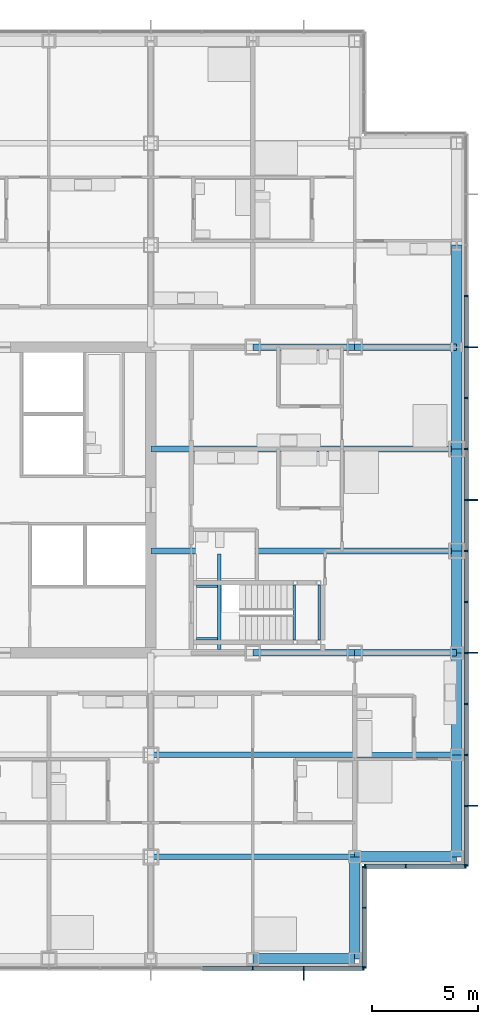
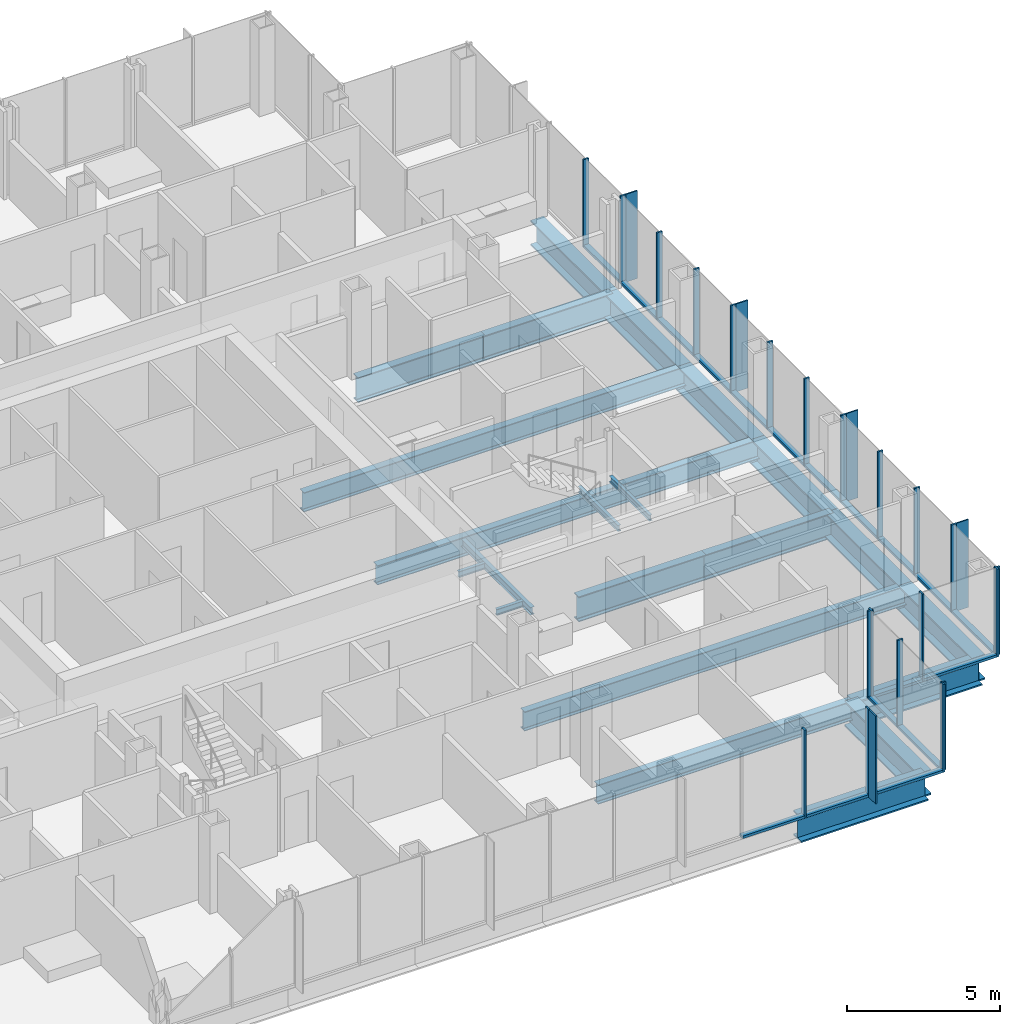
# One storey, part 9 of 21: 44 members, 22 beams, 4 elements without a shape of their own.
"""IFC4 building model written with IfcOpenShell, lengths in metres."""

from ifc_helpers import new_model, si_unit, direction, frame, origin, origin_2d, place, context, subcontext, project, spatial, rectangle, i_section, extrude, material, material_profile, profile_set, type_object, element, aggregate, save


model = new_model("IFC4")

# Units and contexts
model_context = context("Model", 3, precision=1e-05, world=origin(), true_north=direction((0.0, 1.0)))
body_context = subcontext(model_context, "Body", "Model", "MODEL_VIEW")
ifc_project = project(units=[si_unit("LENGTHUNIT", "METRE"), si_unit("AREAUNIT", "SQUARE_METRE"), si_unit("VOLUMEUNIT", "CUBIC_METRE"), si_unit("PLANEANGLEUNIT", "RADIAN"), si_unit("MASSUNIT", "GRAM", prefix="KILO")], contexts=[model_context])

# Site, building, storey
site_placement = place(None, origin())
site = spatial("IfcSite", under=ifc_project, at=site_placement, CompositionType="ELEMENT")
building_placement = place(site_placement, origin())
building = spatial("IfcBuilding", under=site, at=building_placement, Name="Kvirike Care Tower", CompositionType="ELEMENT")
storey_placement = place(building_placement, frame((0.0, 0.0, 27.0)))
storey = spatial("IfcBuildingStorey", under=building, at=storey_placement, Name="L06", CompositionType="ELEMENT", Elevation=27.0)

# Curtain wall, member
ifc_material_1 = material(Name="Anodised aluminium stick system", Category="aluminium")
curtain_wall_type = type_object("IfcCurtainWallType", Name="CW-A STICK CURTAIN WALL", PredefinedType="NOTDEFINED", material=ifc_material_1)
curtain_wall_1_placement = place(storey_placement, origin())
curtain_wall_1 = element("IfcCurtainWall", 1, at=curtain_wall_1_placement, inside=storey, type_object=curtain_wall_type, Name="Curtain wall L06 face 4", PredefinedType="NOTDEFINED")
ifc_material_2 = material(Name="Bronze anodised aluminium fin", Category="aluminium")
ifc_material_profile_1 = material_profile(ifc_material_2, rectangle(XDim=0.050048828125, YDim=0.449951171875, at=origin_2d()), Name="BRONZE FIN 450")
ifc_profile_set_1 = profile_set([ifc_material_profile_1], Name="Bronze anodised aluminium fin")
member_type_1 = type_object("IfcMemberType", Name="BRONZE FIN 450", PredefinedType="USERDEFINED", material=ifc_profile_set_1)
member_1_placement = place(storey_placement, frame((36.0, 13.625, 0.0), z_axis=(0.0, 0.0, 1.0), x_axis=(1.0, 0.0, 0.0)))
member_1 = element("IfcMember", 2, at=member_1_placement, type_object=member_type_1, Name="Bronze fin L06 face 4.14", ObjectType="FIN", PredefinedType="USERDEFINED", context=body_context, shape_type="SweptSolid", body=[
    extrude(rectangle(XDim=0.050048828125, YDim=0.449951171875, at=origin_2d()), origin(), (0.0, 0.0, 1.0), 3.5),
])

# Curtain wall, members
curtain_wall_2_placement = place(storey_placement, origin())
curtain_wall_2 = element("IfcCurtainWall", 3, at=curtain_wall_2_placement, inside=storey, type_object=curtain_wall_type, Name="Curtain wall L06 face 7", PredefinedType="NOTDEFINED")
member_2_placement = place(storey_placement, frame((43.97509765625, 21.60009765625, 0.0), z_axis=(0.0, 0.0, 1.0), x_axis=(0.0, 1.0, 0.0)))
member_2 = element("IfcMember", 4, at=member_2_placement, type_object=member_type_1, Name="Bronze fin L06 face 7.2", ObjectType="FIN", PredefinedType="USERDEFINED", context=body_context, shape_type="SweptSolid", body=[
    extrude(rectangle(XDim=0.050048828125, YDim=0.449951171875, at=origin_2d()), origin(), (0.0, 0.0, 1.0), 3.5),
])
member_3_placement = place(storey_placement, frame((43.97509765625, 28.800048828125, 0.0), z_axis=(0.0, 0.0, 1.0), x_axis=(0.0, 1.0, 0.0)))
member_3 = element("IfcMember", 5, at=member_3_placement, type_object=member_type_1, Name="Bronze fin L06 face 7.5", ObjectType="FIN", PredefinedType="USERDEFINED", context=body_context, shape_type="SweptSolid", body=[
    extrude(rectangle(XDim=0.050048828125, YDim=0.449951171875, at=origin_2d()), origin(), (0.0, 0.0, 1.0), 3.5),
])
member_4_placement = place(storey_placement, frame((43.97509765625, 36.0, 0.0), z_axis=(0.0, 0.0, 1.0), x_axis=(0.0, 1.0, 0.0)))
member_4 = element("IfcMember", 6, at=member_4_placement, type_object=member_type_1, Name="Bronze fin L06 face 7.8", ObjectType="FIN", PredefinedType="USERDEFINED", context=body_context, shape_type="SweptSolid", body=[
    extrude(rectangle(XDim=0.050048828125, YDim=0.449951171875, at=origin_2d()), origin(), (0.0, 0.0, 1.0), 3.5),
])
member_5_placement = place(storey_placement, frame((43.97509765625, 43.199951171875, 0.0), z_axis=(0.0, 0.0, 1.0), x_axis=(0.0, 1.0, 0.0)))
member_5 = element("IfcMember", 7, at=member_5_placement, type_object=member_type_1, Name="Bronze fin L06 face 7.11", ObjectType="FIN", PredefinedType="USERDEFINED", context=body_context, shape_type="SweptSolid", body=[
    extrude(rectangle(XDim=0.050048828125, YDim=0.449951171875, at=origin_2d()), origin(), (0.0, 0.0, 1.0), 3.5),
])

# Member
ifc_material_3 = material(Name="Bronze anodised aluminium mullion", Category="aluminium")
ifc_material_profile_2 = material_profile(ifc_material_3, rectangle(XDim=0.06494140625, YDim=0.199951171875, at=origin_2d()), Name="CW-A MULLION 65x200")
ifc_profile_set_2 = profile_set([ifc_material_profile_2], Name="Bronze anodised aluminium mullion")
member_type_2 = type_object("IfcMemberType", Name="CW-A MULLION 65x200", PredefinedType="MULLION", material=ifc_profile_set_2)
member_6_placement = place(storey_placement, frame((33.60009765625, 13.949951171875, 0.0), z_axis=(0.0, 0.0, 1.0), x_axis=(1.0, 0.0, 0.0)))
member_6 = element("IfcMember", 8, at=member_6_placement, type_object=member_type_2, Name="CW-A mullion L06 face 4.13", PredefinedType="MULLION", context=body_context, shape_type="SweptSolid", body=[
    extrude(rectangle(XDim=0.06494140625, YDim=0.199951171875, at=origin_2d()), origin(), (0.0, 0.0, 1.0), 3.5),
])

member_7_placement = place(storey_placement, frame((36.0, 13.949951171875, 0.0), z_axis=(0.0, 0.0, 1.0), x_axis=(1.0, 0.0, 0.0)))
member_7 = element("IfcMember", 9, at=member_7_placement, type_object=member_type_2, Name="CW-A mullion L06 face 4.14", PredefinedType="MULLION", context=body_context, shape_type="SweptSolid", body=[
    extrude(rectangle(XDim=0.06494140625, YDim=0.199951171875, at=origin_2d()), origin(), (0.0, 0.0, 1.0), 3.5),
])

member_8_placement = place(storey_placement, frame((38.8173828125, 13.949951171875, 0.0), z_axis=(0.0, 0.0, 1.0), x_axis=(1.0, 0.0, 0.0)))
member_8 = element("IfcMember", 10, at=member_8_placement, type_object=member_type_2, Name="CW-A mullion L06 face 4.15", PredefinedType="MULLION", context=body_context, shape_type="SweptSolid", body=[
    extrude(rectangle(XDim=0.06494140625, YDim=0.199951171875, at=origin_2d()), origin(), (0.0, 0.0, 1.0), 3.5),
])

# Curtain wall, members
curtain_wall_3_placement = place(storey_placement, origin())
curtain_wall_3 = element("IfcCurtainWall", 11, at=curtain_wall_3_placement, inside=storey, type_object=curtain_wall_type, Name="Curtain wall L06 face 5", PredefinedType="NOTDEFINED")
member_9_placement = place(storey_placement, frame((38.85009765625, 13.982421875, 0.0), z_axis=(0.0, 0.0, 1.0), x_axis=(0.0, 1.0, 0.0)))
member_9 = element("IfcMember", 12, at=member_9_placement, type_object=member_type_2, Name="CW-A mullion L06 face 5.1", PredefinedType="MULLION", context=body_context, shape_type="SweptSolid", body=[
    extrude(rectangle(XDim=0.06494140625, YDim=0.199951171875, at=origin_2d()), origin(), (0.0, 0.0, 1.0), 3.5),
])
member_10_placement = place(storey_placement, frame((38.85009765625, 16.800048828125, 0.0), z_axis=(0.0, 0.0, 1.0), x_axis=(0.0, 1.0, 0.0)))
member_10 = element("IfcMember", 13, at=member_10_placement, type_object=member_type_2, Name="CW-A mullion L06 face 5.2", PredefinedType="MULLION", context=body_context, shape_type="SweptSolid", body=[
    extrude(rectangle(XDim=0.06494140625, YDim=0.199951171875, at=origin_2d()), origin(), (0.0, 0.0, 1.0), 3.5),
])
member_11_placement = place(storey_placement, frame((38.85009765625, 18.717529296875, 0.0), z_axis=(0.0, 0.0, 1.0), x_axis=(0.0, 1.0, 0.0)))
member_11 = element("IfcMember", 14, at=member_11_placement, type_object=member_type_2, Name="CW-A mullion L06 face 5.3", PredefinedType="MULLION", context=body_context, shape_type="SweptSolid", body=[
    extrude(rectangle(XDim=0.06494140625, YDim=0.199951171875, at=origin_2d()), origin(), (0.0, 0.0, 1.0), 3.5),
])

curtain_wall_4_placement = place(storey_placement, origin())
curtain_wall_4 = element("IfcCurtainWall", 15, at=curtain_wall_4_placement, inside=storey, type_object=curtain_wall_type, Name="Curtain wall L06 face 6", PredefinedType="NOTDEFINED")
member_12_placement = place(storey_placement, frame((38.882568359375, 18.75, 0.0), z_axis=(0.0, 0.0, 1.0), x_axis=(1.0, 0.0, 0.0)))
member_12 = element("IfcMember", 16, at=member_12_placement, type_object=member_type_2, Name="CW-A mullion L06 face 6.1", PredefinedType="MULLION", context=body_context, shape_type="SweptSolid", body=[
    extrude(rectangle(XDim=0.06494140625, YDim=0.199951171875, at=origin_2d()), origin(), (0.0, 0.0, 1.0), 3.5),
])
member_13_placement = place(storey_placement, frame((40.800048828125, 18.75, 0.0), z_axis=(0.0, 0.0, 1.0), x_axis=(1.0, 0.0, 0.0)))
member_13 = element("IfcMember", 17, at=member_13_placement, type_object=member_type_2, Name="CW-A mullion L06 face 6.2", PredefinedType="MULLION", context=body_context, shape_type="SweptSolid", body=[
    extrude(rectangle(XDim=0.06494140625, YDim=0.199951171875, at=origin_2d()), origin(), (0.0, 0.0, 1.0), 3.5),
])
member_14_placement = place(storey_placement, frame((43.617431640625, 18.75, 0.0), z_axis=(0.0, 0.0, 1.0), x_axis=(1.0, 0.0, 0.0)))
member_14 = element("IfcMember", 18, at=member_14_placement, type_object=member_type_2, Name="CW-A mullion L06 face 6.3", PredefinedType="MULLION", context=body_context, shape_type="SweptSolid", body=[
    extrude(rectangle(XDim=0.06494140625, YDim=0.199951171875, at=origin_2d()), origin(), (0.0, 0.0, 1.0), 3.5),
])

# Member
member_15_placement = place(storey_placement, frame((43.64990234375, 18.782470703125, 0.0), z_axis=(0.0, 0.0, 1.0), x_axis=(0.0, 1.0, 0.0)))
member_15 = element("IfcMember", 19, at=member_15_placement, type_object=member_type_2, Name="CW-A mullion L06 face 7.1", PredefinedType="MULLION", context=body_context, shape_type="SweptSolid", body=[
    extrude(rectangle(XDim=0.06494140625, YDim=0.199951171875, at=origin_2d()), origin(), (0.0, 0.0, 1.0), 3.5),
])

member_16_placement = place(storey_placement, frame((43.64990234375, 21.60009765625, 0.0), z_axis=(0.0, 0.0, 1.0), x_axis=(0.0, 1.0, 0.0)))
member_16 = element("IfcMember", 20, at=member_16_placement, type_object=member_type_2, Name="CW-A mullion L06 face 7.2", PredefinedType="MULLION", context=body_context, shape_type="SweptSolid", body=[
    extrude(rectangle(XDim=0.06494140625, YDim=0.199951171875, at=origin_2d()), origin(), (0.0, 0.0, 1.0), 3.5),
])

member_17_placement = place(storey_placement, frame((43.64990234375, 24.0, 0.0), z_axis=(0.0, 0.0, 1.0), x_axis=(0.0, 1.0, 0.0)))
member_17 = element("IfcMember", 21, at=member_17_placement, type_object=member_type_2, Name="CW-A mullion L06 face 7.3", PredefinedType="MULLION", context=body_context, shape_type="SweptSolid", body=[
    extrude(rectangle(XDim=0.06494140625, YDim=0.199951171875, at=origin_2d()), origin(), (0.0, 0.0, 1.0), 3.5),
])

member_18_placement = place(storey_placement, frame((43.64990234375, 26.39990234375, 0.0), z_axis=(0.0, 0.0, 1.0), x_axis=(0.0, 1.0, 0.0)))
member_18 = element("IfcMember", 22, at=member_18_placement, type_object=member_type_2, Name="CW-A mullion L06 face 7.4", PredefinedType="MULLION", context=body_context, shape_type="SweptSolid", body=[
    extrude(rectangle(XDim=0.06494140625, YDim=0.199951171875, at=origin_2d()), origin(), (0.0, 0.0, 1.0), 3.5),
])

member_19_placement = place(storey_placement, frame((43.64990234375, 28.800048828125, 0.0), z_axis=(0.0, 0.0, 1.0), x_axis=(0.0, 1.0, 0.0)))
member_19 = element("IfcMember", 23, at=member_19_placement, type_object=member_type_2, Name="CW-A mullion L06 face 7.5", PredefinedType="MULLION", context=body_context, shape_type="SweptSolid", body=[
    extrude(rectangle(XDim=0.06494140625, YDim=0.199951171875, at=origin_2d()), origin(), (0.0, 0.0, 1.0), 3.5),
])

member_20_placement = place(storey_placement, frame((43.64990234375, 31.199951171875, 0.0), z_axis=(0.0, 0.0, 1.0), x_axis=(0.0, 1.0, 0.0)))
member_20 = element("IfcMember", 24, at=member_20_placement, type_object=member_type_2, Name="CW-A mullion L06 face 7.6", PredefinedType="MULLION", context=body_context, shape_type="SweptSolid", body=[
    extrude(rectangle(XDim=0.06494140625, YDim=0.199951171875, at=origin_2d()), origin(), (0.0, 0.0, 1.0), 3.5),
])

member_21_placement = place(storey_placement, frame((43.64990234375, 33.60009765625, 0.0), z_axis=(0.0, 0.0, 1.0), x_axis=(0.0, 1.0, 0.0)))
member_21 = element("IfcMember", 25, at=member_21_placement, type_object=member_type_2, Name="CW-A mullion L06 face 7.7", PredefinedType="MULLION", context=body_context, shape_type="SweptSolid", body=[
    extrude(rectangle(XDim=0.06494140625, YDim=0.199951171875, at=origin_2d()), origin(), (0.0, 0.0, 1.0), 3.5),
])

member_22_placement = place(storey_placement, frame((43.64990234375, 36.0, 0.0), z_axis=(0.0, 0.0, 1.0), x_axis=(0.0, 1.0, 0.0)))
member_22 = element("IfcMember", 26, at=member_22_placement, type_object=member_type_2, Name="CW-A mullion L06 face 7.8", PredefinedType="MULLION", context=body_context, shape_type="SweptSolid", body=[
    extrude(rectangle(XDim=0.06494140625, YDim=0.199951171875, at=origin_2d()), origin(), (0.0, 0.0, 1.0), 3.5),
])

member_23_placement = place(storey_placement, frame((43.64990234375, 38.39990234375, 0.0), z_axis=(0.0, 0.0, 1.0), x_axis=(0.0, 1.0, 0.0)))
member_23 = element("IfcMember", 27, at=member_23_placement, type_object=member_type_2, Name="CW-A mullion L06 face 7.9", PredefinedType="MULLION", context=body_context, shape_type="SweptSolid", body=[
    extrude(rectangle(XDim=0.06494140625, YDim=0.199951171875, at=origin_2d()), origin(), (0.0, 0.0, 1.0), 3.5),
])

member_24_placement = place(storey_placement, frame((43.64990234375, 40.800048828125, 0.0), z_axis=(0.0, 0.0, 1.0), x_axis=(0.0, 1.0, 0.0)))
member_24 = element("IfcMember", 28, at=member_24_placement, type_object=member_type_2, Name="CW-A mullion L06 face 7.10", PredefinedType="MULLION", context=body_context, shape_type="SweptSolid", body=[
    extrude(rectangle(XDim=0.06494140625, YDim=0.199951171875, at=origin_2d()), origin(), (0.0, 0.0, 1.0), 3.5),
])

member_25_placement = place(storey_placement, frame((43.64990234375, 43.199951171875, 0.0), z_axis=(0.0, 0.0, 1.0), x_axis=(0.0, 1.0, 0.0)))
member_25 = element("IfcMember", 29, at=member_25_placement, type_object=member_type_2, Name="CW-A mullion L06 face 7.11", PredefinedType="MULLION", context=body_context, shape_type="SweptSolid", body=[
    extrude(rectangle(XDim=0.06494140625, YDim=0.199951171875, at=origin_2d()), origin(), (0.0, 0.0, 1.0), 3.5),
])

member_26_placement = place(storey_placement, frame((43.64990234375, 45.60009765625, 0.0), z_axis=(0.0, 0.0, 1.0), x_axis=(0.0, 1.0, 0.0)))
member_26 = element("IfcMember", 30, at=member_26_placement, type_object=member_type_2, Name="CW-A mullion L06 face 7.12", PredefinedType="MULLION", context=body_context, shape_type="SweptSolid", body=[
    extrude(rectangle(XDim=0.06494140625, YDim=0.199951171875, at=origin_2d()), origin(), (0.0, 0.0, 1.0), 3.5),
])

ifc_material_4 = material(Name="Bronze anodised aluminium transom", Category="aluminium")
ifc_material_profile_3 = material_profile(ifc_material_4, rectangle(XDim=0.199951171875, YDim=0.10009765625, at=origin_2d()), Name="CW-A TRANSOM 200x100")
ifc_profile_set_3 = profile_set([ifc_material_profile_3], Name="Bronze anodised aluminium transom")
member_type_3 = type_object("IfcMemberType", Name="CW-A TRANSOM 200x100", PredefinedType="USERDEFINED", material=ifc_profile_set_3)
member_27_placement = place(storey_placement, frame((31.232421875, 13.949951171875, 0.050048828125), z_axis=(1.0, 0.0, 0.0), x_axis=(0.0, 1.0, 0.0)))
member_27 = element("IfcMember", 31, at=member_27_placement, type_object=member_type_3, Name="CW-A sill transom L06 face 4.12", ObjectType="TRANSOM", PredefinedType="USERDEFINED", context=body_context, shape_type="SweptSolid", body=[
    extrude(rectangle(XDim=0.199951171875, YDim=0.10009765625, at=origin_2d()), origin(), (0.0, 0.0, 1.0), 2.3349609375),
])

member_28_placement = place(storey_placement, frame((33.632568359375, 13.949951171875, 0.050048828125), z_axis=(1.0, 0.0, 0.0), x_axis=(0.0, 1.0, 0.0)))
member_28 = element("IfcMember", 32, at=member_28_placement, type_object=member_type_3, Name="CW-A sill transom L06 face 4.13", ObjectType="TRANSOM", PredefinedType="USERDEFINED", context=body_context, shape_type="SweptSolid", body=[
    extrude(rectangle(XDim=0.199951171875, YDim=0.10009765625, at=origin_2d()), origin(), (0.0, 0.0, 1.0), 2.3349609375),
])

member_29_placement = place(storey_placement, frame((36.032470703125, 13.949951171875, 0.050048828125), z_axis=(1.0, 0.0, 0.0), x_axis=(0.0, 1.0, 0.0)))
member_29 = element("IfcMember", 33, at=member_29_placement, type_object=member_type_3, Name="CW-A sill transom L06 face 4.14", ObjectType="TRANSOM", PredefinedType="USERDEFINED", context=body_context, shape_type="SweptSolid", body=[
    extrude(rectangle(XDim=0.199951171875, YDim=0.10009765625, at=origin_2d()), origin(), (0.0, 0.0, 1.0), 2.75244140625),
])

aggregate(curtain_wall_1, [member_6, member_7, member_1, member_8, member_27, member_28, member_29])

member_30_placement = place(storey_placement, frame((38.85009765625, 14.014892578125, 0.050048828125), z_axis=(0.0, 1.0, 0.0), x_axis=(-1.0, 0.0, 0.0)))
member_30 = element("IfcMember", 34, at=member_30_placement, type_object=member_type_3, Name="CW-A sill transom L06 face 5.1", ObjectType="TRANSOM", PredefinedType="USERDEFINED", context=body_context, shape_type="SweptSolid", body=[
    extrude(rectangle(XDim=0.199951171875, YDim=0.10009765625, at=origin_2d()), origin(), (0.0, 0.0, 1.0), 2.752685546875),
])

member_31_placement = place(storey_placement, frame((38.85009765625, 16.83251953125, 0.050048828125), z_axis=(0.0, 1.0, 0.0), x_axis=(-1.0, 0.0, 0.0)))
member_31 = element("IfcMember", 35, at=member_31_placement, type_object=member_type_3, Name="CW-A sill transom L06 face 5.2", ObjectType="TRANSOM", PredefinedType="USERDEFINED", context=body_context, shape_type="SweptSolid", body=[
    extrude(rectangle(XDim=0.199951171875, YDim=0.10009765625, at=origin_2d()), origin(), (0.0, 0.0, 1.0), 1.8525390625),
])

aggregate(curtain_wall_3, [member_9, member_10, member_11, member_30, member_31])

member_32_placement = place(storey_placement, frame((38.9150390625, 18.75, 0.050048828125), z_axis=(1.0, 0.0, 0.0), x_axis=(0.0, 1.0, 0.0)))
member_32 = element("IfcMember", 36, at=member_32_placement, type_object=member_type_3, Name="CW-A sill transom L06 face 6.1", ObjectType="TRANSOM", PredefinedType="USERDEFINED", context=body_context, shape_type="SweptSolid", body=[
    extrude(rectangle(XDim=0.199951171875, YDim=0.10009765625, at=origin_2d()), origin(), (0.0, 0.0, 1.0), 1.8525390625),
])

member_33_placement = place(storey_placement, frame((40.83251953125, 18.75, 0.050048828125), z_axis=(1.0, 0.0, 0.0), x_axis=(0.0, 1.0, 0.0)))
member_33 = element("IfcMember", 37, at=member_33_placement, type_object=member_type_3, Name="CW-A sill transom L06 face 6.2", ObjectType="TRANSOM", PredefinedType="USERDEFINED", context=body_context, shape_type="SweptSolid", body=[
    extrude(rectangle(XDim=0.199951171875, YDim=0.10009765625, at=origin_2d()), origin(), (0.0, 0.0, 1.0), 2.75244140625),
])

aggregate(curtain_wall_4, [member_12, member_13, member_14, member_32, member_33])

member_34_placement = place(storey_placement, frame((43.64990234375, 18.81494140625, 0.050048828125), z_axis=(0.0, 1.0, 0.0), x_axis=(-1.0, 0.0, 0.0)))
member_34 = element("IfcMember", 38, at=member_34_placement, type_object=member_type_3, Name="CW-A sill transom L06 face 7.1", ObjectType="TRANSOM", PredefinedType="USERDEFINED", context=body_context, shape_type="SweptSolid", body=[
    extrude(rectangle(XDim=0.199951171875, YDim=0.10009765625, at=origin_2d()), origin(), (0.0, 0.0, 1.0), 2.75244140625),
])

member_35_placement = place(storey_placement, frame((43.64990234375, 21.632568359375, 0.050048828125), z_axis=(0.0, 1.0, 0.0), x_axis=(-1.0, 0.0, 0.0)))
member_35 = element("IfcMember", 39, at=member_35_placement, type_object=member_type_3, Name="CW-A sill transom L06 face 7.2", ObjectType="TRANSOM", PredefinedType="USERDEFINED", context=body_context, shape_type="SweptSolid", body=[
    extrude(rectangle(XDim=0.199951171875, YDim=0.10009765625, at=origin_2d()), origin(), (0.0, 0.0, 1.0), 2.3349609375),
])

member_36_placement = place(storey_placement, frame((43.64990234375, 24.032470703125, 0.050048828125), z_axis=(0.0, 1.0, 0.0), x_axis=(-1.0, 0.0, 0.0)))
member_36 = element("IfcMember", 40, at=member_36_placement, type_object=member_type_3, Name="CW-A sill transom L06 face 7.3", ObjectType="TRANSOM", PredefinedType="USERDEFINED", context=body_context, shape_type="SweptSolid", body=[
    extrude(rectangle(XDim=0.199951171875, YDim=0.10009765625, at=origin_2d()), origin(), (0.0, 0.0, 1.0), 2.3349609375),
])

member_37_placement = place(storey_placement, frame((43.64990234375, 26.4326171875, 0.050048828125), z_axis=(0.0, 1.0, 0.0), x_axis=(-1.0, 0.0, 0.0)))
member_37 = element("IfcMember", 41, at=member_37_placement, type_object=member_type_3, Name="CW-A sill transom L06 face 7.4", ObjectType="TRANSOM", PredefinedType="USERDEFINED", context=body_context, shape_type="SweptSolid", body=[
    extrude(rectangle(XDim=0.199951171875, YDim=0.10009765625, at=origin_2d()), origin(), (0.0, 0.0, 1.0), 2.3349609375),
])

member_38_placement = place(storey_placement, frame((43.64990234375, 28.83251953125, 0.050048828125), z_axis=(0.0, 1.0, 0.0), x_axis=(-1.0, 0.0, 0.0)))
member_38 = element("IfcMember", 42, at=member_38_placement, type_object=member_type_3, Name="CW-A sill transom L06 face 7.5", ObjectType="TRANSOM", PredefinedType="USERDEFINED", context=body_context, shape_type="SweptSolid", body=[
    extrude(rectangle(XDim=0.199951171875, YDim=0.10009765625, at=origin_2d()), origin(), (0.0, 0.0, 1.0), 2.3349609375),
])

member_39_placement = place(storey_placement, frame((43.64990234375, 31.232421875, 0.050048828125), z_axis=(0.0, 1.0, 0.0), x_axis=(-1.0, 0.0, 0.0)))
member_39 = element("IfcMember", 43, at=member_39_placement, type_object=member_type_3, Name="CW-A sill transom L06 face 7.6", ObjectType="TRANSOM", PredefinedType="USERDEFINED", context=body_context, shape_type="SweptSolid", body=[
    extrude(rectangle(XDim=0.199951171875, YDim=0.10009765625, at=origin_2d()), origin(), (0.0, 0.0, 1.0), 2.3349609375),
])

member_40_placement = place(storey_placement, frame((43.64990234375, 33.632568359375, 0.050048828125), z_axis=(0.0, 1.0, 0.0), x_axis=(-1.0, 0.0, 0.0)))
member_40 = element("IfcMember", 44, at=member_40_placement, type_object=member_type_3, Name="CW-A sill transom L06 face 7.7", ObjectType="TRANSOM", PredefinedType="USERDEFINED", context=body_context, shape_type="SweptSolid", body=[
    extrude(rectangle(XDim=0.199951171875, YDim=0.10009765625, at=origin_2d()), origin(), (0.0, 0.0, 1.0), 2.3349609375),
])

member_41_placement = place(storey_placement, frame((43.64990234375, 36.032470703125, 0.050048828125), z_axis=(0.0, 1.0, 0.0), x_axis=(-1.0, 0.0, 0.0)))
member_41 = element("IfcMember", 45, at=member_41_placement, type_object=member_type_3, Name="CW-A sill transom L06 face 7.8", ObjectType="TRANSOM", PredefinedType="USERDEFINED", context=body_context, shape_type="SweptSolid", body=[
    extrude(rectangle(XDim=0.199951171875, YDim=0.10009765625, at=origin_2d()), origin(), (0.0, 0.0, 1.0), 2.3349609375),
])

member_42_placement = place(storey_placement, frame((43.64990234375, 38.4326171875, 0.050048828125), z_axis=(0.0, 1.0, 0.0), x_axis=(-1.0, 0.0, 0.0)))
member_42 = element("IfcMember", 46, at=member_42_placement, type_object=member_type_3, Name="CW-A sill transom L06 face 7.9", ObjectType="TRANSOM", PredefinedType="USERDEFINED", context=body_context, shape_type="SweptSolid", body=[
    extrude(rectangle(XDim=0.199951171875, YDim=0.10009765625, at=origin_2d()), origin(), (0.0, 0.0, 1.0), 2.3349609375),
])

member_43_placement = place(storey_placement, frame((43.64990234375, 40.83251953125, 0.050048828125), z_axis=(0.0, 1.0, 0.0), x_axis=(-1.0, 0.0, 0.0)))
member_43 = element("IfcMember", 47, at=member_43_placement, type_object=member_type_3, Name="CW-A sill transom L06 face 7.10", ObjectType="TRANSOM", PredefinedType="USERDEFINED", context=body_context, shape_type="SweptSolid", body=[
    extrude(rectangle(XDim=0.199951171875, YDim=0.10009765625, at=origin_2d()), origin(), (0.0, 0.0, 1.0), 2.3349609375),
])

member_44_placement = place(storey_placement, frame((43.64990234375, 43.232421875, 0.050048828125), z_axis=(0.0, 1.0, 0.0), x_axis=(-1.0, 0.0, 0.0)))
member_44 = element("IfcMember", 48, at=member_44_placement, type_object=member_type_3, Name="CW-A sill transom L06 face 7.11", ObjectType="TRANSOM", PredefinedType="USERDEFINED", context=body_context, shape_type="SweptSolid", body=[
    extrude(rectangle(XDim=0.199951171875, YDim=0.10009765625, at=origin_2d()), origin(), (0.0, 0.0, 1.0), 2.3349609375),
])

aggregate(curtain_wall_2, [member_15, member_16, member_2, member_17, member_18, member_19, member_3, member_20, member_21, member_22, member_4, member_23, member_24, member_25, member_5, member_26, member_34, member_35, member_36, member_37, member_38, member_39, member_40, member_41, member_42, member_43, member_44])

# Beams
ifc_material_5 = material(Name="Steel S355", Category="steel")
ifc_material_profile_4 = material_profile(ifc_material_5, i_section(OverallWidth=0.26806640625, OverallDepth=0.77001953125, WebThickness=0.015625, FlangeThickness=0.025390625, FilletRadius=0.01708984375, at=origin_2d()), Name="IPE 750x196")
ifc_profile_set_4 = profile_set([ifc_material_profile_4], Name="Steel S355")
beam_type_1 = type_object("IfcBeamType", Name="FLOOR BEAM IPE 750x196", PredefinedType="BEAM", material=ifc_profile_set_4)
beam_1_placement = place(storey_placement, frame((28.800048828125, 19.199951171875, -0.554931640625), z_axis=(1.0, 0.0, 0.0), x_axis=(0.0, 1.0, 0.0)))
element("IfcBeam", 49, at=beam_1_placement, inside=storey, type_object=beam_type_1, Name="Floor Beam E9-E11 L06", PredefinedType="BEAM", context=body_context, shape_type="SweptSolid", body=[
    extrude(i_section(OverallWidth=0.26806640625, OverallDepth=0.77001953125, WebThickness=0.015625, FlangeThickness=0.025390625, FilletRadius=0.01708984375, at=origin_2d()), origin(), (0.0, 0.0, 1.0), 9.599853515625),
])
for number, where, z_axis, x_axis, name in (
    (50, (28.800048828125, 24.0, -0.554931640625), (1.0, 0.0, 0.0), (0.0, 1.0, 0.0), "Floor Beam F9-F12 L06"),
    (51, (28.800048828125, 33.60009765625, -0.554931640625), (1.0, 0.0, 0.0), (0.0, 1.0, 0.0), "Floor Beam H9-H12 L06"),
    (52, (28.800048828125, 38.39990234375, -0.554931640625), (1.0, 0.0, 0.0), (0.0, 1.0, 0.0), "Floor Beam J9-J12 L06"),
):
    element("IfcBeam", number, at=place(storey_placement, frame(where, z_axis=z_axis, x_axis=x_axis)), inside=storey, type_object=beam_type_1, Name=name, PredefinedType="BEAM", context=body_context, shape_type="SweptSolid", body=[
        extrude(i_section(OverallWidth=0.26806640625, OverallDepth=0.77001953125, WebThickness=0.015625, FlangeThickness=0.025390625, FilletRadius=0.01708984375, at=origin_2d()), origin(), (0.0, 0.0, 1.0), 14.39990234375),
    ])
ifc_material_6 = material(Name="Steel S355", Category="steel")
ifc_material_profile_5 = material_profile(ifc_material_6, i_section(OverallWidth=0.300048828125, OverallDepth=1.0, WebThickness=0.01904296875, FlangeThickness=0.035888671875, FilletRadius=0.030029296875, at=origin_2d()), Name="HE 1000 B")
ifc_profile_set_5 = profile_set([ifc_material_profile_5], Name="Steel S355")
beam_type_2 = type_object("IfcBeamType", Name="FRAME BEAM HE 1000 B", PredefinedType="BEAM", material=ifc_profile_set_5)
beam_2_placement = place(storey_placement, frame((33.60009765625, 28.800048828125, -0.669921875), z_axis=(1.0, 0.0, 0.0), x_axis=(0.0, 1.0, 0.0)))
element("IfcBeam", 53, at=beam_2_placement, inside=storey, type_object=beam_type_2, Name="Frame Beam G10-G11 L06", PredefinedType="BEAM", context=body_context, shape_type="SweptSolid", body=[
    extrude(i_section(OverallWidth=0.300048828125, OverallDepth=1.0, WebThickness=0.01904296875, FlangeThickness=0.035888671875, FilletRadius=0.030029296875, at=origin_2d()), origin(), (0.0, 0.0, 1.0), 4.7998046875),
])
beam_3_placement = place(storey_placement, frame((38.39990234375, 28.800048828125, -0.669921875), z_axis=(1.0, 0.0, 0.0), x_axis=(0.0, 1.0, 0.0)))
element("IfcBeam", 54, at=beam_3_placement, inside=storey, type_object=beam_type_2, Name="Frame Beam G11-G12 L06", PredefinedType="BEAM", context=body_context, shape_type="SweptSolid", body=[
    extrude(i_section(OverallWidth=0.300048828125, OverallDepth=1.0, WebThickness=0.01904296875, FlangeThickness=0.035888671875, FilletRadius=0.030029296875, at=origin_2d()), origin(), (0.0, 0.0, 1.0), 4.800048828125),
])
beam_4_placement = place(storey_placement, frame((33.60009765625, 43.199951171875, -0.669921875), z_axis=(1.0, 0.0, 0.0), x_axis=(0.0, 1.0, 0.0)))
element("IfcBeam", 55, at=beam_4_placement, inside=storey, type_object=beam_type_2, Name="Frame Beam K10-K11 L06", PredefinedType="BEAM", context=body_context, shape_type="SweptSolid", body=[
    extrude(i_section(OverallWidth=0.300048828125, OverallDepth=1.0, WebThickness=0.01904296875, FlangeThickness=0.035888671875, FilletRadius=0.030029296875, at=origin_2d()), origin(), (0.0, 0.0, 1.0), 4.7998046875),
])
beam_5_placement = place(storey_placement, frame((38.39990234375, 43.199951171875, -0.669921875), z_axis=(1.0, 0.0, 0.0), x_axis=(0.0, 1.0, 0.0)))
element("IfcBeam", 56, at=beam_5_placement, inside=storey, type_object=beam_type_2, Name="Frame Beam K11-K12 L06", PredefinedType="BEAM", context=body_context, shape_type="SweptSolid", body=[
    extrude(i_section(OverallWidth=0.300048828125, OverallDepth=1.0, WebThickness=0.01904296875, FlangeThickness=0.035888671875, FilletRadius=0.030029296875, at=origin_2d()), origin(), (0.0, 0.0, 1.0), 4.800048828125),
])
ifc_material_7 = material(Name="Steel S355", Category="steel")
ifc_material_profile_6 = material_profile(ifc_material_7, i_section(OverallWidth=0.5, OverallDepth=1.0, WebThickness=0.030029296875, FlangeThickness=0.06005859375, at=origin_2d()), Name="PG 1000x500x30x60")
ifc_profile_set_6 = profile_set([ifc_material_profile_6], Name="Steel S355")
beam_type_3 = type_object("IfcBeamType", Name="SPANDREL PG 1000x500x30x60", PredefinedType="SPANDREL", material=ifc_profile_set_6)
beam_6_placement = place(storey_placement, frame((33.60009765625, 14.39990234375, -0.669921875), z_axis=(1.0, 0.0, 0.0), x_axis=(0.0, 1.0, 0.0)))
element("IfcBeam", 57, at=beam_6_placement, inside=storey, type_object=beam_type_3, Name="Spandrel D10-D11 L06", PredefinedType="SPANDREL", context=body_context, shape_type="SweptSolid", body=[
    extrude(i_section(OverallWidth=0.5, OverallDepth=1.0, WebThickness=0.030029296875, FlangeThickness=0.06005859375, at=origin_2d()), origin(), (0.0, 0.0, 1.0), 4.7998046875),
])
for number, where, z_axis, x_axis, name in (
    (58, (38.39990234375, 19.199951171875, -0.669921875), (1.0, 0.0, 0.0), (0.0, 1.0, 0.0), "Spandrel E11-E12 L06"),
    (59, (38.39990234375, 14.39990234375, -0.669921875), (0.0, 1.0, 0.0), (-1.0, 0.0, 0.0), "Spandrel D11-E11 L06"),
    (60, (43.199951171875, 19.199951171875, -0.669921875), (0.0, 1.0, 0.0), (-1.0, 0.0, 0.0), "Spandrel E12-F12 L06"),
    (61, (43.199951171875, 24.0, -0.669921875), (0.0, 1.0, 0.0), (-1.0, 0.0, 0.0), "Spandrel F12-G12 L06"),
    (62, (43.199951171875, 28.800048828125, -0.669921875), (0.0, 1.0, 0.0), (-1.0, 0.0, 0.0), "Spandrel G12-H12 L06"),
):
    element("IfcBeam", number, at=place(storey_placement, frame(where, z_axis=z_axis, x_axis=x_axis)), inside=storey, type_object=beam_type_3, Name=name, PredefinedType="SPANDREL", context=body_context, shape_type="SweptSolid", body=[
        extrude(i_section(OverallWidth=0.5, OverallDepth=1.0, WebThickness=0.030029296875, FlangeThickness=0.06005859375, at=origin_2d()), origin(), (0.0, 0.0, 1.0), 4.800048828125),
    ])
beam_7_placement = place(storey_placement, frame((43.199951171875, 33.60009765625, -0.669921875), z_axis=(0.0, 1.0, 0.0), x_axis=(-1.0, 0.0, 0.0)))
element("IfcBeam", 63, at=beam_7_placement, inside=storey, type_object=beam_type_3, Name="Spandrel H12-J12 L06", PredefinedType="SPANDREL", context=body_context, shape_type="SweptSolid", body=[
    extrude(i_section(OverallWidth=0.5, OverallDepth=1.0, WebThickness=0.030029296875, FlangeThickness=0.06005859375, at=origin_2d()), origin(), (0.0, 0.0, 1.0), 4.7998046875),
])
for number, where, z_axis, x_axis, name in (
    (64, (43.199951171875, 38.39990234375, -0.669921875), (0.0, 1.0, 0.0), (-1.0, 0.0, 0.0), "Spandrel J12-K12 L06"),
    (65, (43.199951171875, 43.199951171875, -0.669921875), (0.0, 1.0, 0.0), (-1.0, 0.0, 0.0), "Spandrel K12-L12 L06"),
):
    element("IfcBeam", number, at=place(storey_placement, frame(where, z_axis=z_axis, x_axis=x_axis)), inside=storey, type_object=beam_type_3, Name=name, PredefinedType="SPANDREL", context=body_context, shape_type="SweptSolid", body=[
        extrude(i_section(OverallWidth=0.5, OverallDepth=1.0, WebThickness=0.030029296875, FlangeThickness=0.06005859375, at=origin_2d()), origin(), (0.0, 0.0, 1.0), 4.800048828125),
    ])
ifc_material_8 = material(Name="Steel S355", Category="steel")
ifc_material_profile_7 = material_profile(ifc_material_8, i_section(OverallWidth=0.1201171875, OverallDepth=0.239990234375, WebThickness=0.006103515625, FlangeThickness=0.009765625, FilletRadius=0.014892578125, at=origin_2d()), Name="IPE 240")
ifc_profile_set_7 = profile_set([ifc_material_profile_7], Name="Steel S355")
beam_type_4 = type_object("IfcBeamType", Name="STAIR LANDING BEAM IPE 240", PredefinedType="BEAM", material=ifc_profile_set_7)
for number, where, z_axis, x_axis, name in (
    (66, (36.739990234375, 29.39990234375, 1.429931640625), (0.0, 1.0, 0.0), (-1.0, 0.0, 0.0), "Stair 2 landing beam back L06"),
    (67, (35.56005859375, 29.39990234375, 1.429931640625), (0.0, 1.0, 0.0), (-1.0, 0.0, 0.0), "Stair 2 landing beam front L06"),
):
    element("IfcBeam", number, at=place(storey_placement, frame(where, z_axis=z_axis, x_axis=x_axis)), inside=storey, type_object=beam_type_4, Name=name, PredefinedType="BEAM", context=body_context, shape_type="SweptSolid", body=[
        extrude(i_section(OverallWidth=0.1201171875, OverallDepth=0.239990234375, WebThickness=0.006103515625, FlangeThickness=0.009765625, FilletRadius=0.014892578125, at=origin_2d()), origin(), (0.0, 0.0, 1.0), 2.60009765625),
    ])
for number, where, z_axis, x_axis, name in (
    (68, (31.949951171875, 29.4599609375, -0.320068359375), (-1.0, 0.0, 0.0), (0.0, -1.0, 0.0), "Stair 2 landing edge beam 1 L06"),
    (69, (31.949951171875, 31.93994140625, -0.320068359375), (-1.0, 0.0, 0.0), (0.0, -1.0, 0.0), "Stair 2 landing edge beam 2 L06"),
):
    element("IfcBeam", number, at=place(storey_placement, frame(where, z_axis=z_axis, x_axis=x_axis)), inside=storey, type_object=beam_type_4, Name=name, PredefinedType="BEAM", context=body_context, shape_type="SweptSolid", body=[
        extrude(i_section(OverallWidth=0.1201171875, OverallDepth=0.239990234375, WebThickness=0.006103515625, FlangeThickness=0.009765625, FilletRadius=0.014892578125, at=origin_2d()), origin(), (0.0, 0.0, 1.0), 1.0),
    ])
ifc_material_9 = material(Name="Steel S355", Category="steel")
ifc_material_profile_8 = material_profile(ifc_material_9, i_section(OverallWidth=0.14990234375, OverallDepth=0.300048828125, WebThickness=0.007080078125, FlangeThickness=0.0107421875, FilletRadius=0.014892578125, at=origin_2d()), Name="IPE 300")
ifc_profile_set_8 = profile_set([ifc_material_profile_8], Name="Steel S355")
beam_type_5 = type_object("IfcBeamType", Name="STAIR TRIMMER IPE 300", PredefinedType="BEAM", material=ifc_profile_set_8)
beam_8_placement = place(storey_placement, frame((32.02490234375, 28.949951171875, -0.35009765625), z_axis=(0.0, 1.0, 0.0), x_axis=(-1.0, 0.0, 0.0)))
element("IfcBeam", 70, at=beam_8_placement, inside=storey, type_object=beam_type_5, Name="Stair 2 trimmer 1 L06", PredefinedType="BEAM", context=body_context, shape_type="SweptSolid", body=[
    extrude(i_section(OverallWidth=0.14990234375, OverallDepth=0.300048828125, WebThickness=0.007080078125, FlangeThickness=0.0107421875, FilletRadius=0.014892578125, at=origin_2d()), origin(), (0.0, 0.0, 1.0), 4.51611328125),
])

save(model, "model.ifc")
